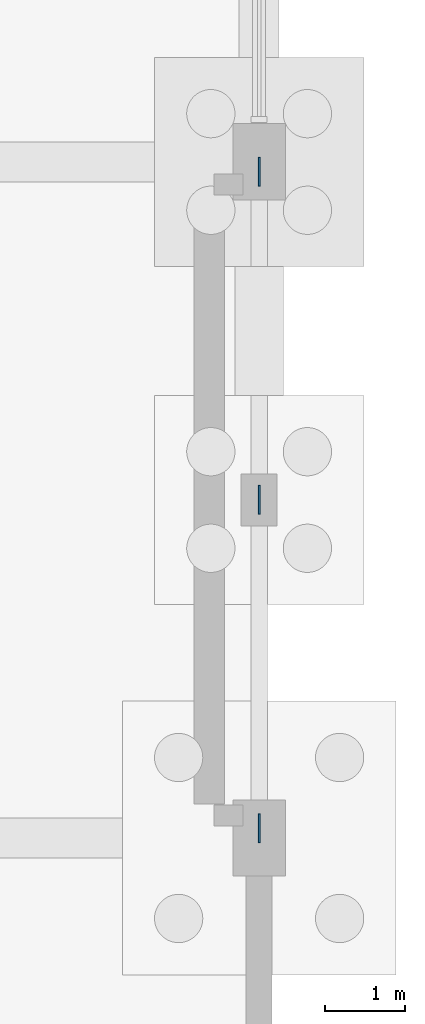
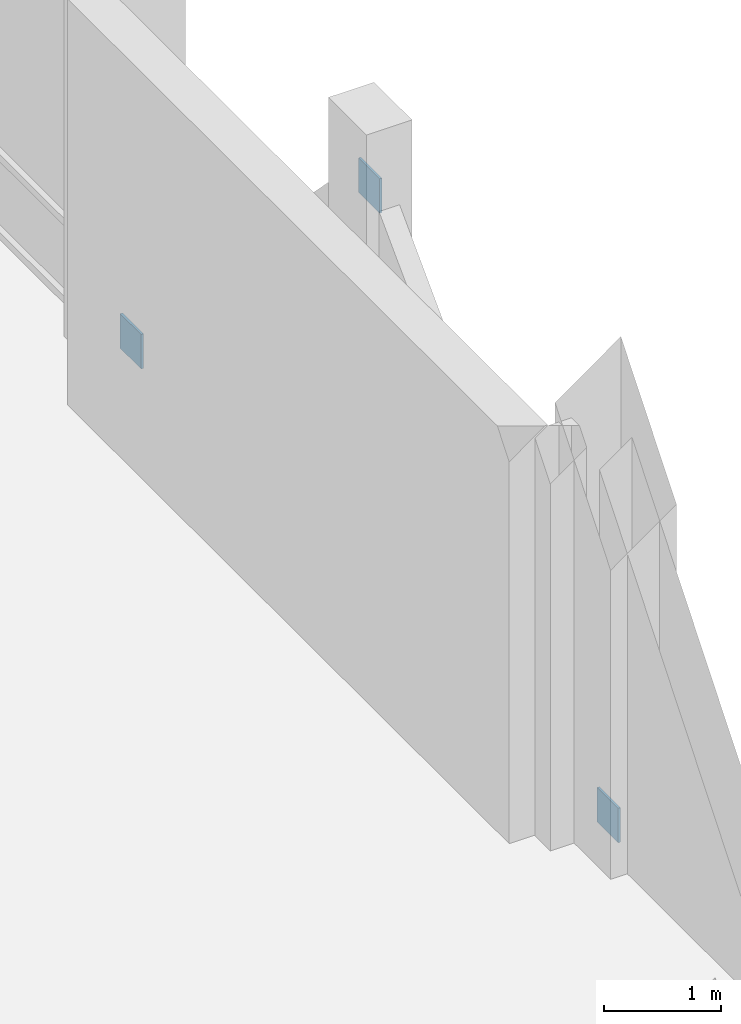
# One storey, part 99 of 136: 3 plates.
"""IFC4 building model written with IfcOpenShell, lengths in metres."""

from ifc_helpers import new_model, si_unit, direction, frame, origin, origin_2d, place, context, subcontext, project, spatial, rectangle, extrude, material, layer, layer_set, type_object, element, save


model = new_model("IFC4")

# Units and contexts
model_context = context("Model", 3, precision=1e-05, world=origin(), true_north=direction((0.0, 1.0)))
body_context = subcontext(model_context, "Body", "Model", "MODEL_VIEW")
ifc_project = project(units=[si_unit("LENGTHUNIT", "METRE"), si_unit("AREAUNIT", "SQUARE_METRE"), si_unit("VOLUMEUNIT", "CUBIC_METRE"), si_unit("PLANEANGLEUNIT", "RADIAN"), si_unit("MASSUNIT", "GRAM", prefix="KILO")], contexts=[model_context])

# Site, building, storey
site_placement = place(None, origin())
site = spatial("IfcSite", under=ifc_project, at=site_placement, CompositionType="ELEMENT")
building_placement = place(site_placement, origin())
building = spatial("IfcBuilding", under=site, at=building_placement, Name="Oolite Switchyard Hospital", CompositionType="ELEMENT")
storey_placement = place(building_placement, origin())
storey = spatial("IfcBuildingStorey", under=building, at=storey_placement, Name="L00", CompositionType="ELEMENT", Elevation=0.0)

# Plates
ifc_material = material(Name="Steel ASTM A572 Grade 50", Category="steel")
ifc_layer = layer(ifc_material, 0.02392578125)
ifc_layer_set = layer_set([ifc_layer], Name="PLT-GUS-360")
plate_type = type_object("IfcPlateType", Name="PLT-GUS-360", PredefinedType="SHEET", material=ifc_layer_set)
for number, where, z_axis, x_axis, name in (
    (1, (211.199951171875, 33.719970703125, 0.02001953125), (0.0, 0.0, 1.0), (0.0, 1.0, 0.0), "L00 Brace Base Gusset Plate 106"),
    (2, (211.199951171875, 41.8798828125, 0.02001953125), (0.0, 0.0, 1.0), (0.0, 1.0, 0.0), "L00 Brace Base Gusset Plate 107"),
    (3, (211.199951171875, 37.800048828125, 4.1201171875), (0.0, 0.0, 1.0), (0.0, 1.0, 0.0), "L00 Gusset Connection Plate 108"),
):
    element("IfcPlate", number, at=place(storey_placement, frame(where, z_axis=z_axis, x_axis=x_axis)), inside=storey, type_object=plate_type, Name=name, PredefinedType="SHEET", context=body_context, shape_type="SweptSolid", body=[
        extrude(rectangle(XDim=0.360107421875, YDim=0.02392578125, at=origin_2d()), origin(), (0.0, 0.0, 1.0), 0.360107421875),
    ])

save(model, "model.ifc")
